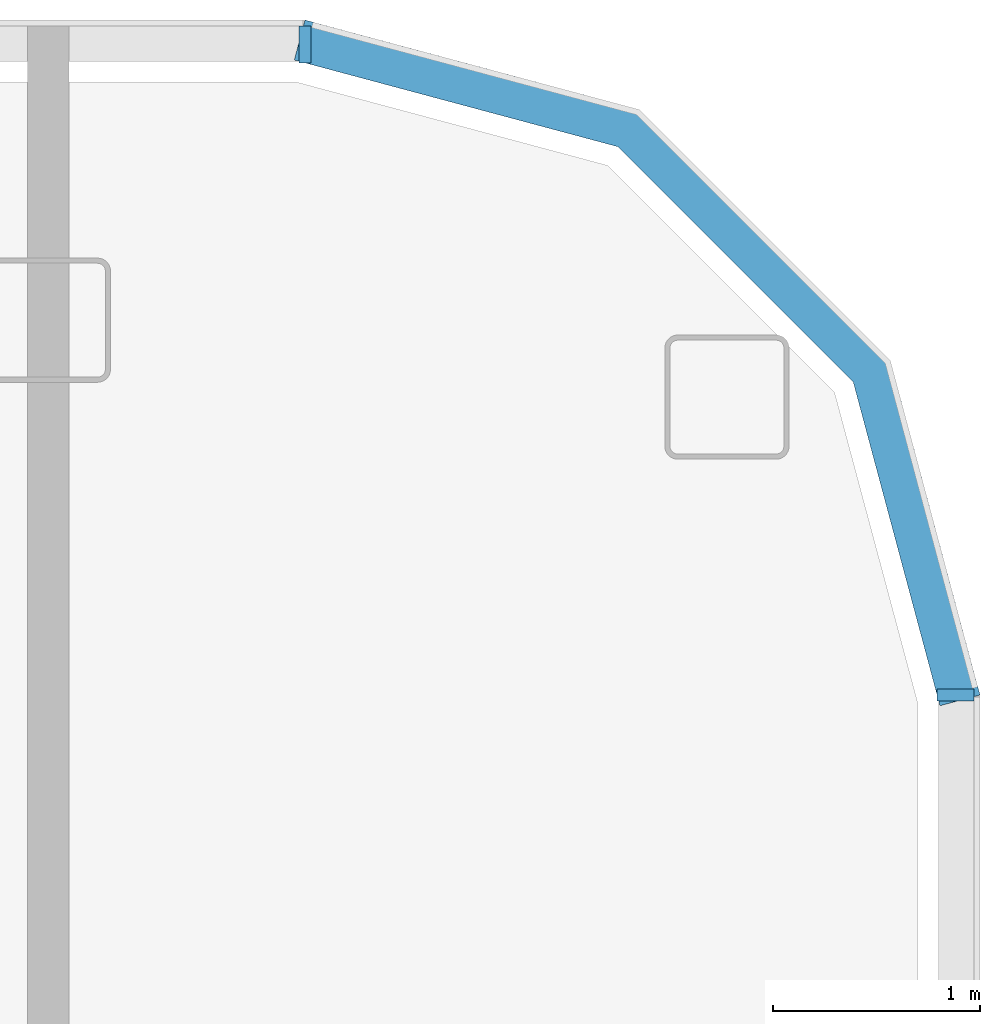
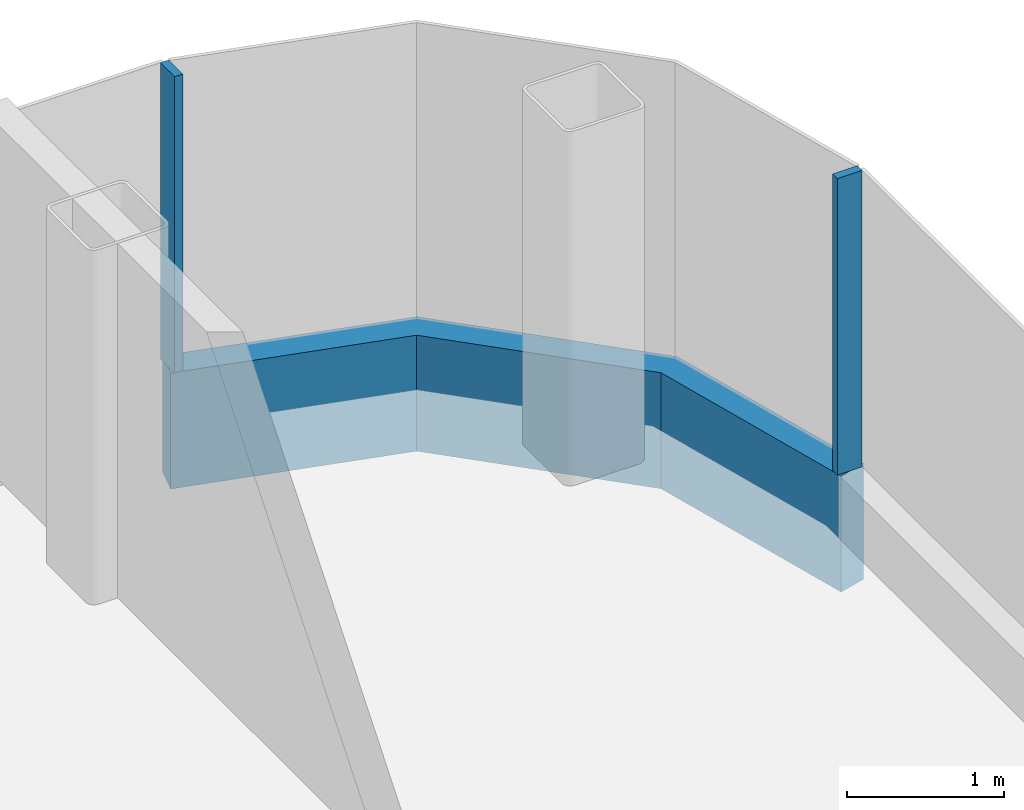
# One storey, part 11 of 25: 3 members, 3 elements without a shape of their own.
"""IFC4 building model written with IfcOpenShell, lengths in metres."""

from ifc_helpers import new_model, si_unit, direction, frame, origin, origin_2d, place, context, subcontext, project, spatial, polyline, rectangle, outline, extrude, material, layer, layer_set, material_profile, profile_set, type_object, element, aggregate, save


model = new_model("IFC4")

# Units and contexts
model_context = context("Model", 3, precision=1e-05, world=origin(), true_north=direction((0.0, 1.0)))
body_context = subcontext(model_context, "Body", "Model", "MODEL_VIEW")
ifc_project = project(units=[si_unit("LENGTHUNIT", "METRE"), si_unit("AREAUNIT", "SQUARE_METRE"), si_unit("VOLUMEUNIT", "CUBIC_METRE"), si_unit("PLANEANGLEUNIT", "RADIAN"), si_unit("MASSUNIT", "GRAM", prefix="KILO")], contexts=[model_context])

# Site, building, storey
site_placement = place(None, origin())
site = spatial("IfcSite", under=ifc_project, at=site_placement, CompositionType="ELEMENT")
building_placement = place(site_placement, origin())
building = spatial("IfcBuilding", under=site, at=building_placement, Name="Hakoniwa Tower and Hamabe Station Hall", CompositionType="ELEMENT")
storey_placement = place(building_placement, frame((0.0, 0.0, 186.60009765625)))
storey = spatial("IfcBuildingStorey", under=building, at=storey_placement, Name="L52", CompositionType="ELEMENT", Elevation=186.60009765625)

# Curtain wall, member
ifc_material_1 = material(Name="Dark low-e laminated glass", Category="glass")
ifc_layer = layer(ifc_material_1, 0.199951171875)
ifc_layer_set = layer_set([ifc_layer], Name="CW-1 UNITISED GUEST")
curtain_wall_type = type_object("IfcCurtainWallType", Name="CW-1 UNITISED GUEST", PredefinedType="NOTDEFINED", material=ifc_layer_set)
curtain_wall_1_placement = place(storey_placement, origin())
curtain_wall_1 = element("IfcCurtainWall", 1, at=curtain_wall_1_placement, inside=storey, type_object=curtain_wall_type, Name="CW-1 curtain wall", PredefinedType="NOTDEFINED")
ifc_material_2 = material(Name="Aluminium 6063-T5 black anodised", Category="aluminium")
ifc_material_profile_1 = material_profile(ifc_material_2, rectangle(XDim=0.199951171875, YDim=0.89990234375, at=origin_2d()), Name="CW SLAB-EDGE BAND 900X200")
ifc_profile_set_1 = profile_set([ifc_material_profile_1], Name="Aluminium 6063-T5 black anodised")
member_type_1 = type_object("IfcMemberType", Name="CW SLAB-EDGE BAND 900X200", PredefinedType="USERDEFINED", material=ifc_profile_set_1)
member_1_placement = place(storey_placement, frame((0.0, 0.0, -0.550048828125)))
member_1 = element("IfcMember", 2, at=member_1_placement, type_object=member_type_1, Name="CW-1 transom", ObjectType="TRANSOM", PredefinedType="USERDEFINED", context=body_context, shape_type="SweptSolid", body=[
    extrude(outline(polyline([(38.10009765625, 17.28955078125), (37.6669921875, 18.9052734375), (36.455322265625, 20.116943359375), (34.839599609375, 20.550048828125), (34.787841796875, 20.35693359375), (36.351806640625, 19.937744140625), (37.48779296875, 18.8017578125), (37.90673828125, 17.23779296875), (38.10009765625, 17.28955078125)])), origin(), (0.0, 0.0, 1.0), 0.89990234375),
])
aggregate(curtain_wall_1, [member_1])

curtain_wall_2_placement = place(storey_placement, origin())
curtain_wall_2 = element("IfcCurtainWall", 3, at=curtain_wall_2_placement, inside=storey, type_object=curtain_wall_type, Name="CW-1 curtain wall", PredefinedType="NOTDEFINED")
ifc_material_3 = material(Name="Aluminium 6063-T5 black anodised", Category="aluminium")
ifc_material_profile_2 = material_profile(ifc_material_3, rectangle(XDim=0.06005859375, YDim=0.179931640625, at=origin_2d()), Name="CW-1 MULLION 60X180")
ifc_profile_set_2 = profile_set([ifc_material_profile_2], Name="Aluminium 6063-T5 black anodised")
member_type_2 = type_object("IfcMemberType", Name="CW-1 MULLION 60X180", PredefinedType="MULLION", material=ifc_profile_set_2)
member_2_placement = place(storey_placement, frame((37.98193359375, 17.28955078125, 0.349853515625), z_axis=(0.0, 0.0, 1.0), x_axis=(0.0, 1.0, 0.0)))
member_2 = element("IfcMember", 4, at=member_2_placement, type_object=member_type_2, Name="CW-1 mullion", PredefinedType="MULLION", context=body_context, shape_type="SweptSolid", body=[
    extrude(rectangle(XDim=0.06005859375, YDim=0.179931640625, at=origin_2d()), origin(), (0.0, 0.0, 1.0), 2.300048828125),
])
aggregate(curtain_wall_2, [member_2])

curtain_wall_3_placement = place(storey_placement, origin())
curtain_wall_3 = element("IfcCurtainWall", 5, at=curtain_wall_3_placement, inside=storey, type_object=curtain_wall_type, Name="CW-1 curtain wall", PredefinedType="NOTDEFINED")
member_3_placement = place(storey_placement, frame((34.839599609375, 20.431884765625, 0.349853515625), z_axis=(0.0, 0.0, 1.0), x_axis=(-1.0, 0.0, 0.0)))
member_3 = element("IfcMember", 6, at=member_3_placement, type_object=member_type_2, Name="CW-1 mullion", PredefinedType="MULLION", context=body_context, shape_type="SweptSolid", body=[
    extrude(rectangle(XDim=0.06005859375, YDim=0.179931640625, at=origin_2d()), origin(), (0.0, 0.0, 1.0), 2.300048828125),
])
aggregate(curtain_wall_3, [member_3])

save(model, "model.ifc")
